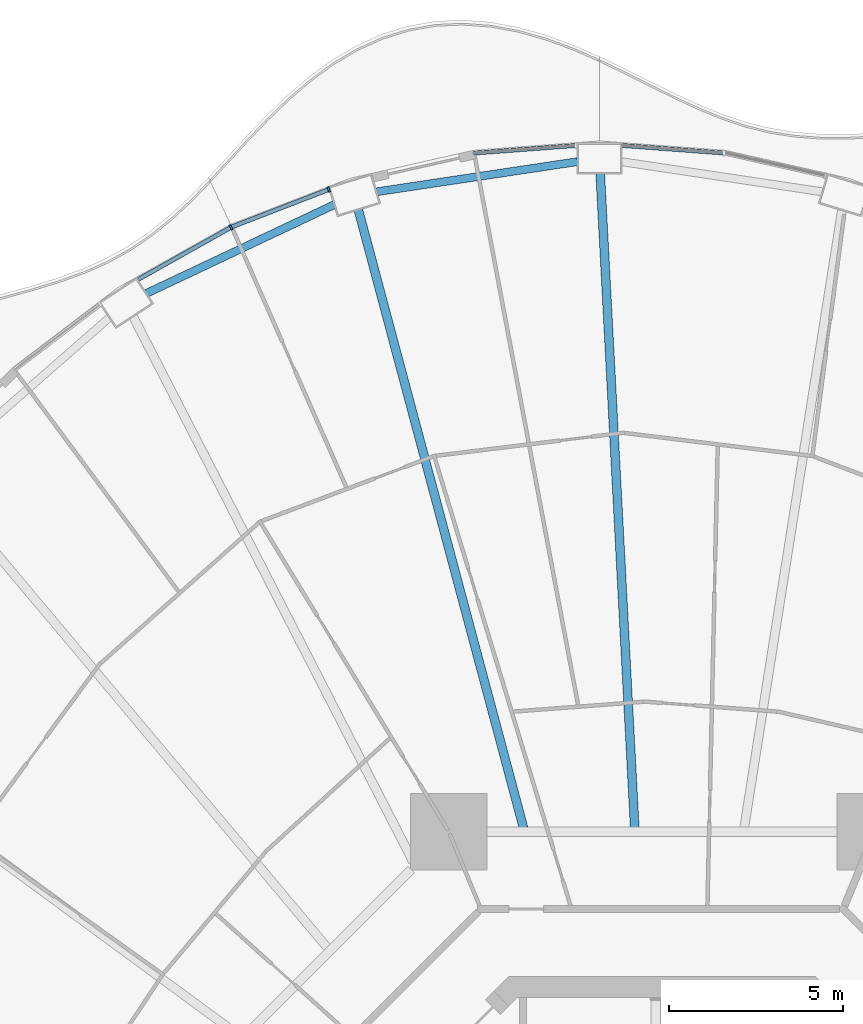
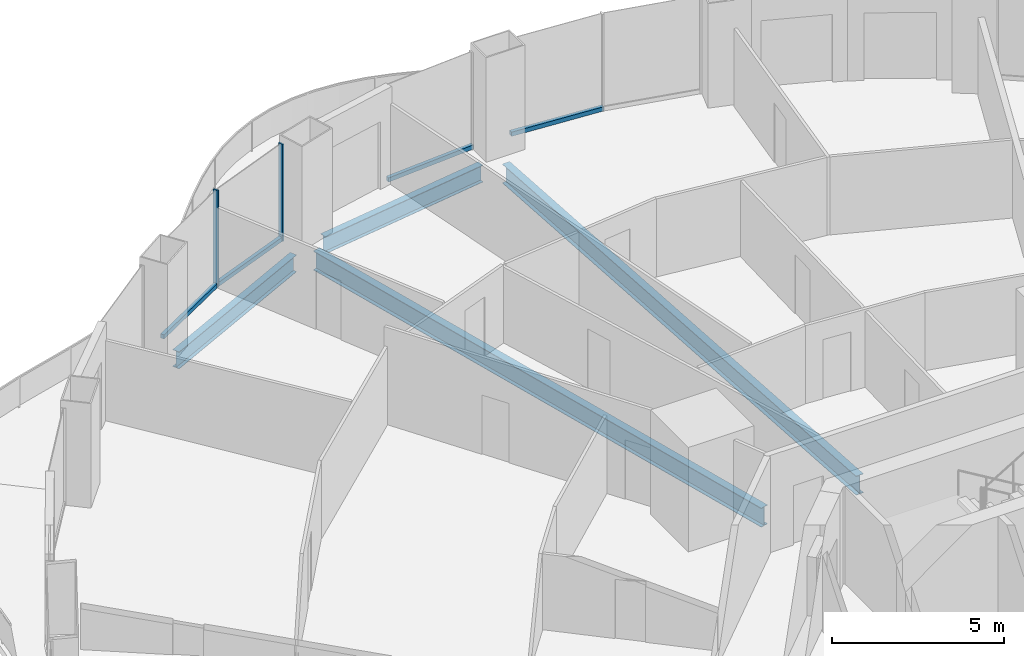
# One storey, part 9 of 22: 6 members, 4 beams, 4 elements without a shape of their own.
"""IFC4 building model written with IfcOpenShell, lengths in metres."""

from ifc_helpers import new_model, si_unit, direction, frame, origin, origin_2d, place, context, subcontext, project, spatial, rectangle, i_section, extrude, material, layer, layer_set, material_profile, profile_set, type_object, element, aggregate, save


model = new_model("IFC4")

# Units and contexts
model_context = context("Model", 3, precision=1e-05, world=origin(), true_north=direction((0.0, 1.0)))
body_context = subcontext(model_context, "Body", "Model", "MODEL_VIEW")
ifc_project = project(units=[si_unit("LENGTHUNIT", "METRE"), si_unit("AREAUNIT", "SQUARE_METRE"), si_unit("VOLUMEUNIT", "CUBIC_METRE"), si_unit("PLANEANGLEUNIT", "RADIAN"), si_unit("MASSUNIT", "GRAM", prefix="KILO")], contexts=[model_context])

# Site, building, storey
site_placement = place(None, origin())
site = spatial("IfcSite", under=ifc_project, at=site_placement, CompositionType="ELEMENT")
building_placement = place(site_placement, origin())
building = spatial("IfcBuilding", under=site, at=building_placement, Name="Nagisa Residences", CompositionType="ELEMENT")
storey_placement = place(building_placement, frame((0.0, 0.0, 84.39990234375)))
storey = spatial("IfcBuildingStorey", under=building, at=storey_placement, Name="L20", CompositionType="ELEMENT", Elevation=84.39990234375)

# Curtain wall, member
ifc_material_1 = material(Name="Concrete-coloured aluminium curtain wall system", Category="concrete")
ifc_layer = layer(ifc_material_1, 0.159912109375)
ifc_layer_set = layer_set([ifc_layer], Name="CW1 CURTAIN WALL")
curtain_wall_type = type_object("IfcCurtainWallType", Name="CW1 CURTAIN WALL", PredefinedType="NOTDEFINED", material=ifc_layer_set)
curtain_wall_1_placement = place(storey_placement, origin())
curtain_wall_1 = element("IfcCurtainWall", 1, at=curtain_wall_1_placement, inside=storey, type_object=curtain_wall_type, Name="cw:CW1:L20:14", PredefinedType="NOTDEFINED")
ifc_material_2 = material(Name="Concrete-coloured aluminium", Category="concrete")
ifc_material_profile_1 = material_profile(ifc_material_2, rectangle(XDim=0.159912109375, YDim=0.06005859375, at=origin_2d()), Name="CW1 MULLION 160x60")
ifc_profile_set_1 = profile_set([ifc_material_profile_1], Name="Concrete-coloured aluminium")
member_type_1 = type_object("IfcMemberType", Name="CW1 MULLION 160x60", PredefinedType="MULLION", material=ifc_profile_set_1)
member_1_placement = place(storey_placement, frame((-9.573486328125, 33.2392578125, 0.0), z_axis=(0.0, 0.0, 1.0), x_axis=(0.360327770268, -0.932825759707, 0.0)))
member_1 = element("IfcMember", 2, at=member_1_placement, type_object=member_type_1, Name="CW1 mullion", PredefinedType="MULLION", context=body_context, shape_type="SweptSolid", body=[
    extrude(rectangle(XDim=0.159912109375, YDim=0.06005859375, at=origin_2d()), origin(), (0.0, 0.0, 1.0), 3.440185546875),
])

curtain_wall_2_placement = place(storey_placement, origin())
curtain_wall_2 = element("IfcCurtainWall", 3, at=curtain_wall_2_placement, inside=storey, type_object=curtain_wall_type, Name="cw:CW1:L20:15", PredefinedType="NOTDEFINED")
member_2_placement = place(storey_placement, frame((-12.385498046875, 32.1494140625, 0.0), z_axis=(0.0, 0.0, 1.0), x_axis=(0.489376918501, -0.872072377523, 0.0)))
member_2 = element("IfcMember", 4, at=member_2_placement, type_object=member_type_1, Name="CW1 mullion", PredefinedType="MULLION", context=body_context, shape_type="SweptSolid", body=[
    extrude(rectangle(XDim=0.159912109375, YDim=0.06005859375, at=origin_2d()), origin(), (0.0, 0.0, 1.0), 3.440185546875),
])

curtain_wall_3_placement = place(storey_placement, origin())
curtain_wall_3 = element("IfcCurtainWall", 5, at=curtain_wall_3_placement, inside=storey, type_object=curtain_wall_type, Name="cw:CW1:L20:11", PredefinedType="NOTDEFINED")
ifc_material_3 = material(Name="Concrete-coloured aluminium", Category="concrete")
ifc_material_profile_2 = material_profile(ifc_material_3, rectangle(XDim=0.1201171875, YDim=0.14990234375, at=origin_2d()), Name="CW1 TRANSOM 120x150")
ifc_profile_set_2 = profile_set([ifc_material_profile_2], Name="Concrete-coloured aluminium")
member_type_2 = type_object("IfcMemberType", Name="CW1 TRANSOM 120x150", PredefinedType="USERDEFINED", material=ifc_profile_set_2)
member_3_placement = place(storey_placement, frame((1.80908203125, 34.283203125, 0.0751953125), z_axis=(-0.997226174467, 0.074430887117, 0.0), x_axis=(-0.074430887117, -0.997226174467, 0.0)))
member_3 = element("IfcMember", 6, at=member_3_placement, type_object=member_type_2, Name="CW1 transom", ObjectType="TRANSOM", PredefinedType="USERDEFINED", context=body_context, shape_type="SweptSolid", body=[
    extrude(rectangle(XDim=0.1201171875, YDim=0.14990234375, at=origin_2d()), origin(), (0.0, 0.0, 1.0), 2.97509765625),
])
aggregate(curtain_wall_3, [member_3])

curtain_wall_4_placement = place(storey_placement, origin())
curtain_wall_4 = element("IfcCurtainWall", 7, at=curtain_wall_4_placement, inside=storey, type_object=curtain_wall_type, Name="cw:CW1:L20:12", PredefinedType="NOTDEFINED")
member_4_placement = place(storey_placement, frame((-2.442138671875, 34.504638671875, 0.0751953125), z_axis=(-0.997226174467, -0.074430887117, 0.0), x_axis=(0.074430887117, -0.997226174467, 0.0)))
member_4 = element("IfcMember", 8, at=member_4_placement, type_object=member_type_2, Name="CW1 transom", ObjectType="TRANSOM", PredefinedType="USERDEFINED", context=body_context, shape_type="SweptSolid", body=[
    extrude(rectangle(XDim=0.1201171875, YDim=0.14990234375, at=origin_2d()), origin(), (0.0, 0.0, 1.0), 2.97509765625),
])
aggregate(curtain_wall_4, [member_4])

# Member
member_5_placement = place(storey_placement, frame((-9.54541015625, 33.25, 0.0751953125), z_axis=(-0.932837560624, -0.360297218263, 0.0), x_axis=(0.360297218263, -0.932837560624, 0.0)))
member_5 = element("IfcMember", 9, at=member_5_placement, type_object=member_type_2, Name="CW1 transom", ObjectType="TRANSOM", PredefinedType="USERDEFINED", context=body_context, shape_type="SweptSolid", body=[
    extrude(rectangle(XDim=0.1201171875, YDim=0.14990234375, at=origin_2d()), origin(), (0.0, 0.0, 1.0), 3.027587890625),
])

aggregate(curtain_wall_1, [member_1, member_5])

member_6_placement = place(storey_placement, frame((-12.359375, 32.1640625, 0.0751953125), z_axis=(-0.872037280335, -0.489439456631, 0.0), x_axis=(0.489439456631, -0.872037280335, 0.0)))
member_6 = element("IfcMember", 10, at=member_6_placement, type_object=member_type_2, Name="CW1 transom", ObjectType="TRANSOM", PredefinedType="USERDEFINED", context=body_context, shape_type="SweptSolid", body=[
    extrude(rectangle(XDim=0.1201171875, YDim=0.14990234375, at=origin_2d()), origin(), (0.0, 0.0, 1.0), 3.07568359375),
])

aggregate(curtain_wall_2, [member_2, member_6])

# Beams
ifc_material_4 = material(Name="Steel ASTM A572 Gr 50", Category="steel")
ifc_material_profile_3 = material_profile(ifc_material_4, i_section(OverallWidth=0.22802734375, OverallDepth=0.60302734375, WebThickness=0.010498046875, FlangeThickness=0.014892578125, at=origin_2d()), Name="W610x101")
ifc_profile_set_3 = profile_set([ifc_material_profile_3], Name="Steel ASTM A572 Gr 50")
beam_type_1 = type_object("IfcBeamType", Name="Perimeter ring beam W610x101", PredefinedType="BEAM", material=ifc_profile_set_3)
beam_1_placement = place(storey_placement, frame((-2.43017578125, 34.0380859375, -0.5615234375), z_axis=(-0.988913048607, -0.148495731568, 0.0), x_axis=(0.148495731568, -0.988913048607, 0.0)))
element("IfcBeam", 11, at=beam_1_placement, inside=storey, type_object=beam_type_1, Name="beam:L20:pb07", PredefinedType="BEAM", context=body_context, shape_type="SweptSolid", body=[
    extrude(i_section(OverallWidth=0.22802734375, OverallDepth=0.60302734375, WebThickness=0.010498046875, FlangeThickness=0.014892578125, at=origin_2d()), origin(), (0.0, 0.0, 1.0), 5.843017578125),
])
beam_2_placement = place(storey_placement, frame((-9.41455078125, 32.8037109375, -0.5615234375), z_axis=(-0.90418952838, -0.427131474804, 0.0), x_axis=(0.427131474804, -0.90418952838, 0.0)))
element("IfcBeam", 12, at=beam_2_placement, inside=storey, type_object=beam_type_1, Name="beam:L20:pb08", PredefinedType="BEAM", context=body_context, shape_type="SweptSolid", body=[
    extrude(i_section(OverallWidth=0.22802734375, OverallDepth=0.60302734375, WebThickness=0.010498046875, FlangeThickness=0.014892578125, at=origin_2d()), origin(), (0.0, 0.0, 1.0), 5.98046875),
])
ifc_material_5 = material(Name="Steel ASTM A572 Gr 50", Category="steel")
ifc_material_profile_4 = material_profile(ifc_material_5, i_section(OverallWidth=0.2529296875, OverallDepth=0.677978515625, WebThickness=0.01171875, FlangeThickness=0.016357421875, at=origin_2d()), Name="W690x125")
ifc_profile_set_4 = profile_set([ifc_material_profile_4], Name="Steel ASTM A572 Gr 50")
beam_type_2 = type_object("IfcBeamType", Name="Radial beam W690x125", PredefinedType="BEAM", material=ifc_profile_set_4)
beam_3_placement = place(storey_placement, frame((-1.77734375, 33.70263671875, -0.598876953125), z_axis=(0.05266700958, -0.998612129959, 0.0), x_axis=(0.998612129959, 0.05266700958, 0.0)))
element("IfcBeam", 13, at=beam_3_placement, inside=storey, type_object=beam_type_2, Name="beam:L20:rb07", PredefinedType="BEAM", context=body_context, shape_type="SweptSolid", body=[
    extrude(i_section(OverallWidth=0.2529296875, OverallDepth=0.677978515625, WebThickness=0.01171875, FlangeThickness=0.016357421875, at=origin_2d()), origin(), (0.0, 0.0, 1.0), 18.834228515625),
])
beam_4_placement = place(storey_placement, frame((-8.7275390625, 32.66015625, -0.598876953125), z_axis=(0.258170831181, -0.96609928161, 0.0), x_axis=(0.96609928161, 0.258170831181, 0.0)))
element("IfcBeam", 14, at=beam_4_placement, inside=storey, type_object=beam_type_2, Name="beam:L20:rb08", PredefinedType="BEAM", context=body_context, shape_type="SweptSolid", body=[
    extrude(i_section(OverallWidth=0.2529296875, OverallDepth=0.677978515625, WebThickness=0.01171875, FlangeThickness=0.016357421875, at=origin_2d()), origin(), (0.0, 0.0, 1.0), 18.38818359375),
])

save(model, "model.ifc")
